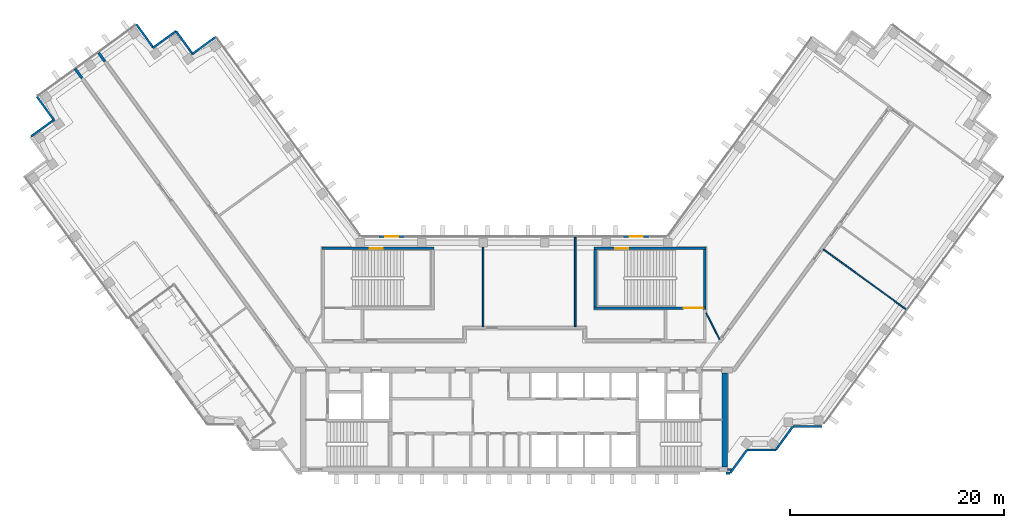
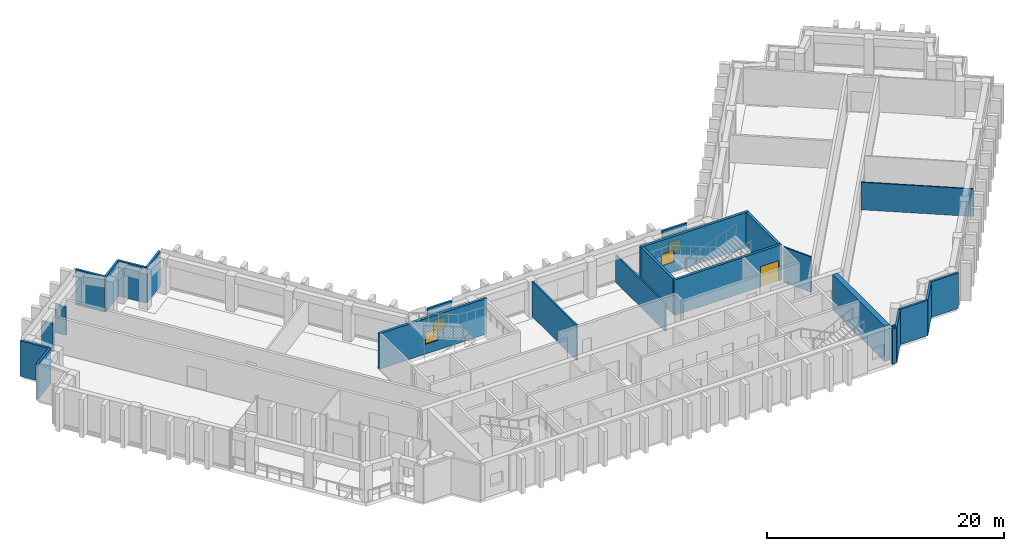
# One storey, part 8 of 12: 26 walls, 4 windows, 1 door, 5 openings.
"""IFC4 building model written with IfcOpenShell, lengths in metres."""

from ifc_helpers import new_model, si_unit, direction, frame, frame_2d, origin, place, context, subcontext, project, spatial, rectangle, extrude, material, layer, layer_set, type_object, element, fill, save


model = new_model("IFC4")

# Units and contexts
model_context = context("Model", 3, precision=1e-05, world=origin(), true_north=direction((0.0, 1.0)))
body_context = subcontext(model_context, "Body", "Model", "MODEL_VIEW")
ifc_project = project(units=[si_unit("LENGTHUNIT", "METRE"), si_unit("AREAUNIT", "SQUARE_METRE"), si_unit("VOLUMEUNIT", "CUBIC_METRE"), si_unit("PLANEANGLEUNIT", "RADIAN"), si_unit("MASSUNIT", "GRAM", prefix="KILO")], contexts=[model_context])

# Site, building, storey
site_placement = place(None, origin())
site = spatial("IfcSite", under=ifc_project, at=site_placement, CompositionType="ELEMENT")
building_placement = place(site_placement, origin())
building = spatial("IfcBuilding", under=site, at=building_placement, Name="Quipu Civic Tower", CompositionType="ELEMENT")
storey_placement = place(building_placement, frame((0.0, 0.0, 164.0)))
storey = spatial("IfcBuildingStorey", under=building, at=storey_placement, Name="L38", CompositionType="ELEMENT", Elevation=164.0)

# Walls
ifc_material_1 = material(Name="Double gypsum plasterboard with mineral wool")
ifc_layer_1 = layer(ifc_material_1, 0.14990234375)
ifc_layer_set_1 = layer_set([ifc_layer_1], Name="Double gypsum plasterboard with mineral wool")
wall_type_1 = type_object("IfcWallType", Name="Acoustic partition 150 plasterboard", PredefinedType="PARTITIONING", material=ifc_layer_set_1)
wall_1_placement = place(storey_placement, frame((-2.89892578125, 2.64990234375, 0.0), z_axis=(0.0, 0.0, 1.0), x_axis=(0.0, 1.0, 0.0)))
element("IfcWall", 1, at=wall_1_placement, inside=storey, type_object=wall_type_1, Name="Partition P05", PredefinedType="PARTITIONING", context=body_context, shape_type="SweptSolid", body=[
    extrude(rectangle(XDim=7.445068359375, YDim=0.14990234375, at=frame_2d((3.72265625, 0.0))), origin(), (0.0, 0.0, 1.0), 3.64990234375),
])
wall_2_placement = place(storey_placement, frame((5.738037109375, 2.64990234375, 0.0), z_axis=(0.0, 0.0, 1.0), x_axis=(0.0, 1.0, 0.0)))
element("IfcWall", 2, at=wall_2_placement, inside=storey, type_object=wall_type_1, Name="Partition P07", PredefinedType="PARTITIONING", context=body_context, shape_type="SweptSolid", body=[
    extrude(rectangle(XDim=8.35009765625, YDim=0.14990234375, at=frame_2d((4.175048828125, 0.0))), origin(), (0.0, 0.0, 1.0), 2.85009765625),
])

# Wall, opening, window
ifc_material_2 = material(Name="Concrete C70/85", Category="concrete")
ifc_layer_2 = layer(ifc_material_2, 0.25)
ifc_layer_set_2 = layer_set([ifc_layer_2], Name="Concrete C70/85")
wall_type_2 = type_object("IfcWallType", Name="Core wall 250", PredefinedType="SHEAR", material=ifc_layer_set_2)
wall_3_placement = place(storey_placement, frame((-18.0, 9.97509765625, 0.0), z_axis=(0.0, 0.0, 1.0), x_axis=(1.0, 0.0, 0.0)))
wall_3 = element("IfcWall", 3, at=wall_3_placement, inside=storey, type_object=wall_type_2, Name="Core wall", PredefinedType="SHEAR", context=body_context, shape_type="SweptSolid", body=[
    extrude(rectangle(XDim=10.5, YDim=0.25, at=frame_2d((5.25, 0.0))), origin(), (0.0, 0.0, 1.0), 3.64990234375),
])
opening_1_placement = place(wall_3_placement, frame((4.5, 0.0, 1.0)))
opening_1 = element("IfcOpeningElement", 4, at=opening_1_placement, cuts=wall_3, Name="Opening SV-3", PredefinedType="OPENING", context=body_context, shape_type="SweptSolid", body=[
    extrude(rectangle(XDim=1.199951171875, YDim=1.199951171875, at=frame_2d((0.60009765625, 0.60009765625))), frame((0.0, 0.135009765625, 0.0), z_axis=(0.0, -1.0, 0.0), x_axis=(1.0, 0.0, 0.0)), (0.0, 0.0, 1.0), 0.27001953125),
])
ifc_material_3 = material(Name="Aluminium louvre", Category="aluminium")
window_type_1 = type_object("IfcWindowType", Name="Stair ventilation louvre 1200 x 1200", PartitioningType="SINGLE_PANEL", PredefinedType="WINDOW", material=ifc_material_3)
window_1_placement = place(opening_1_placement, origin())
window_1 = element("IfcWindow", 5, at=window_1_placement, inside=storey, type_object=window_type_1, Name="Stair ventilation opening", OverallHeight=1.199951171875, OverallWidth=1.199951171875, PartitioningType="SINGLE_PANEL", PredefinedType="WINDOW", context=body_context, shape_type="SweptSolid", body=[
    extrude(rectangle(XDim=1.199951171875, YDim=1.199951171875, at=frame_2d((0.60009765625, 0.60009765625))), frame((0.0, 0.030029296875, 0.0), z_axis=(0.0, -1.0, 0.0), x_axis=(1.0, 0.0, 0.0)), (0.0, 0.0, 1.0), 0.06005859375),
])
fill(opening_1, window_1)

# Wall, opening, door
wall_4_placement = place(storey_placement, frame((7.5, 4.375, 0.0), z_axis=(0.0, 0.0, 1.0), x_axis=(1.0, 0.0, 0.0)))
wall_4 = element("IfcWall", 6, at=wall_4_placement, inside=storey, type_object=wall_type_2, Name="Core wall", PredefinedType="SHEAR", context=body_context, shape_type="SweptSolid", body=[
    extrude(rectangle(XDim=10.5, YDim=0.25, at=frame_2d((5.25, 0.0))), origin(), (0.0, 0.0, 1.0), 3.64990234375),
])
opening_2_placement = place(wall_4_placement, frame((8.39990234375, 0.0, 0.0)))
opening_2 = element("IfcOpeningElement", 7, at=opening_2_placement, cuts=wall_4, Name="Opening CD-25", PredefinedType="OPENING", context=body_context, shape_type="SweptSolid", body=[
    extrude(rectangle(XDim=1.800048828125, YDim=2.10009765625, at=frame_2d((0.89990234375, 1.050048828125))), frame((0.0, 0.135009765625, 0.0), z_axis=(0.0, -1.0, 0.0), x_axis=(1.0, 0.0, 0.0)), (0.0, 0.0, 1.0), 0.27001953125),
])
ifc_material_4 = material(Name="Fire rated steel door", Category="steel")
door_type = type_object("IfcDoorType", Name="Fire door FD90 double 1800 x 2100", OperationType="NOTDEFINED", PredefinedType="DOOR", material=ifc_material_4)
door_placement = place(opening_2_placement, origin())
door = element("IfcDoor", 8, at=door_placement, inside=storey, type_object=door_type, Name="Door", OperationType="DOUBLE_DOOR_SINGLE_SWING", OverallHeight=2.10009765625, OverallWidth=1.800048828125, PredefinedType="DOOR", context=body_context, shape_type="SweptSolid", body=[
    extrude(rectangle(XDim=1.800048828125, YDim=2.10009765625, at=frame_2d((0.89990234375, 1.050048828125))), frame((0.0, 0.02490234375, 0.0), z_axis=(0.0, -1.0, 0.0), x_axis=(1.0, 0.0, 0.0)), (0.0, 0.0, 1.0), 0.050048828125),
])
fill(opening_2, door)

# Walls
for number, where, z_axis, x_axis, name in (
    (9, (7.625, 4.5, 0.0), (0.0, 0.0, 1.0), (0.0, 1.0, 0.0), "Core wall"),
    (10, (17.875, 4.5, 0.0), (0.0, 0.0, 1.0), (0.0, 1.0, 0.0), "Core wall"),
):
    element("IfcWall", number, at=place(storey_placement, frame(where, z_axis=z_axis, x_axis=x_axis)), inside=storey, type_object=wall_type_2, Name=name, PredefinedType="SHEAR", context=body_context, shape_type="SweptSolid", body=[
        extrude(rectangle(XDim=5.35009765625, YDim=0.25, at=frame_2d((2.675048828125, 0.0))), origin(), (0.0, 0.0, 1.0), 3.64990234375),
    ])

# Wall, opening, window
wall_5_placement = place(storey_placement, frame((7.5, 9.97509765625, 0.0), z_axis=(0.0, 0.0, 1.0), x_axis=(1.0, 0.0, 0.0)))
wall_5 = element("IfcWall", 11, at=wall_5_placement, inside=storey, type_object=wall_type_2, Name="Core wall", PredefinedType="SHEAR", context=body_context, shape_type="SweptSolid", body=[
    extrude(rectangle(XDim=10.5, YDim=0.25, at=frame_2d((5.25, 0.0))), origin(), (0.0, 0.0, 1.0), 3.64990234375),
])
opening_3_placement = place(wall_5_placement, frame((2.0, 0.0, 1.0)))
opening_3 = element("IfcOpeningElement", 12, at=opening_3_placement, cuts=wall_5, Name="Opening SV-4", PredefinedType="OPENING", context=body_context, shape_type="SweptSolid", body=[
    extrude(rectangle(XDim=1.199951171875, YDim=1.199951171875, at=frame_2d((0.60009765625, 0.60009765625))), frame((0.0, 0.135009765625, 0.0), z_axis=(0.0, -1.0, 0.0), x_axis=(1.0, 0.0, 0.0)), (0.0, 0.0, 1.0), 0.27001953125),
])
window_2_placement = place(opening_3_placement, origin())
window_2 = element("IfcWindow", 13, at=window_2_placement, inside=storey, type_object=window_type_1, Name="Stair ventilation opening", OverallHeight=1.199951171875, OverallWidth=1.199951171875, PartitioningType="SINGLE_PANEL", PredefinedType="WINDOW", context=body_context, shape_type="SweptSolid", body=[
    extrude(rectangle(XDim=1.199951171875, YDim=1.199951171875, at=frame_2d((0.60009765625, 0.60009765625))), frame((0.0, 0.030029296875, 0.0), z_axis=(0.0, -1.0, 0.0), x_axis=(1.0, 0.0, 0.0)), (0.0, 0.0, 1.0), 0.06005859375),
])
fill(opening_3, window_2)

# Walls
ifc_material_5 = material(Name="Concrete C70/85", Category="concrete")
ifc_layer_3 = layer(ifc_material_5, 0.5)
ifc_layer_set_3 = layer_set([ifc_layer_3], Name="Concrete C70/85")
wall_type_3 = type_object("IfcWallType", Name="Core wall 500", PredefinedType="SHEAR", material=ifc_layer_set_3)
wall_6_placement = place(storey_placement, frame((19.75, -10.5, 0.0), z_axis=(0.0, 0.0, 1.0), x_axis=(0.0, 1.0, 0.0)))
element("IfcWall", 14, at=wall_6_placement, inside=storey, type_object=wall_type_3, Name="Core wall", PredefinedType="SHEAR", context=body_context, shape_type="SweptSolid", body=[
    extrude(rectangle(XDim=8.800048828125, YDim=0.5, at=frame_2d((4.39990234375, 0.0))), origin(), (0.0, 0.0, 1.0), 3.64990234375),
])
ifc_material_6 = material(Name="Concrete C50/60", Category="concrete")
ifc_layer_4 = layer(ifc_material_6, 0.25)
ifc_layer_set_4 = layer_set([ifc_layer_4], Name="Concrete C50/60")
wall_type_4 = type_object("IfcWallType", Name="Corridor wall 250 concrete", PredefinedType="SOLIDWALL", material=ifc_layer_set_4)
wall_7_placement = place(storey_placement, frame((-40.46337890625, 25.911376953125, 0.0), z_axis=(0.0, 0.0, 1.0), x_axis=(-0.587792454268, 0.809011761785, 0.0)))
element("IfcWall", 15, at=wall_7_placement, inside=storey, type_object=wall_type_4, Name="Corridor wall C05", PredefinedType="SOLIDWALL", context=body_context, shape_type="SweptSolid", body=[
    extrude(rectangle(XDim=1.1103515625, YDim=0.25, at=frame_2d((0.55517578125, 0.0))), origin(), (0.0, 0.0, 1.0), 2.85009765625),
])
wall_8_placement = place(storey_placement, frame((-38.31982421875, 27.46923828125, 0.0), z_axis=(0.0, 0.0, 1.0), x_axis=(-0.587811913486, 0.808997623213, 0.0)))
element("IfcWall", 16, at=wall_8_placement, inside=storey, type_object=wall_type_4, Name="Corridor wall C06", PredefinedType="SOLIDWALL", context=body_context, shape_type="SweptSolid", body=[
    extrude(rectangle(XDim=1.0087890625, YDim=0.25, at=frame_2d((0.50439453125, 0.0))), origin(), (0.0, 0.0, 1.0), 2.85009765625),
])
ifc_material_7 = material(Name="Gypsum plasterboard on light gauge framing")
ifc_layer_5 = layer(ifc_material_7, 0.1201171875)
ifc_layer_set_5 = layer_set([ifc_layer_5], Name="Gypsum plasterboard on light gauge framing")
wall_type_5 = type_object("IfcWallType", Name="Partition 120 plasterboard", PredefinedType="PARTITIONING", material=ifc_layer_set_5)
wall_9_placement = place(storey_placement, frame((36.7021484375, 4.274169921875, 0.0), z_axis=(0.0, 0.0, 1.0), x_axis=(-0.808998008689, 0.58781138296, 0.0)))
element("IfcWall", 17, at=wall_9_placement, inside=storey, type_object=wall_type_5, Name="Partition P02", PredefinedType="PARTITIONING", context=body_context, shape_type="SweptSolid", body=[
    extrude(rectangle(XDim=9.5498046875, YDim=0.1201171875, at=frame_2d((4.77490234375, 0.0))), origin(), (0.0, 0.0, 1.0), 2.85009765625),
])
wall_10_placement = place(storey_placement, frame((18.0, 3.925048828125, 0.0), z_axis=(0.0, 0.0, 1.0), x_axis=(0.453950796792, -0.891026752736, 0.0)))
element("IfcWall", 18, at=wall_10_placement, inside=storey, type_object=wall_type_5, Name="Partition P10", PredefinedType="PARTITIONING", context=body_context, shape_type="SweptSolid", body=[
    extrude(rectangle(XDim=2.77783203125, YDim=0.1201171875, at=frame_2d((1.388916015625, 0.0))), origin(), (0.0, 0.0, 1.0), 3.64990234375),
])
ifc_material_8 = material(Name="Precast concrete C40/50", Category="concrete")
wall_type_6 = type_object("IfcWallType", Name="Precast cladding wall", PredefinedType="SOLIDWALL", material=ifc_material_8)
for number, where, z_axis, x_axis, name in (
    (19, (-27.92138671875, 29.787109375, 0.0), (0.0, 0.0, 1.0), (-0.809033161865, -0.587762999008, 0.0), "Precast cladding wall L38 P02"),
    (20, (-30.08349609375, 28.149169921875, 0.0), (0.0, 0.0, 1.0), (-0.587762999008, 0.809033161865, 0.0), "Precast cladding wall L38 P03"),
    (21, (-31.653564453125, 30.330810546875, 0.0), (0.0, 0.0, 1.0), (-0.809033161865, -0.587762999008, 0.0), "Precast cladding wall L38 P04"),
    (22, (-33.80078125, 28.785888671875, 0.0), (0.0, 0.0, 1.0), (-0.587762999008, 0.809033161865, 0.0), "Precast cladding wall L38 P05"),
    (23, (-44.699462890625, 24.20458984375, 0.0), (0.0, 0.0, 1.0), (0.587762999008, -0.809033161865, 0.0), "Precast cladding wall L38 P07"),
):
    element("IfcWall", number, at=place(storey_placement, frame(where, z_axis=z_axis, x_axis=x_axis)), inside=storey, type_object=wall_type_6, Name=name, PredefinedType="SOLIDWALL", context=body_context, shape_type="SweptSolid", body=[
        extrude(rectangle(XDim=2.699951171875, YDim=0.199951171875, at=frame_2d((1.35009765625, 0.0))), origin(), (0.0, 0.0, 1.0), 3.64990234375),
    ])
wall_11_placement = place(storey_placement, frame((19.85009765625, -11.087890625, 0.0), z_axis=(0.0, 0.0, 1.0), x_axis=(1.0, 0.0, 0.0)))
element("IfcWall", 24, at=wall_11_placement, inside=storey, type_object=wall_type_6, Name="Precast cladding wall L38 P13", PredefinedType="SOLIDWALL", context=body_context, shape_type="SweptSolid", body=[
    extrude(rectangle(XDim=0.40576171875, YDim=0.199951171875, at=frame_2d((0.202880859375, 0.0))), origin(), (0.0, 0.0, 1.0), 3.64990234375),
])
wall_12_placement = place(storey_placement, frame((20.253173828125, -11.083251953125, 0.0), z_axis=(0.0, 0.0, 1.0), x_axis=(0.587766567315, 0.809030569476, 0.0)))
element("IfcWall", 25, at=wall_12_placement, inside=storey, type_object=wall_type_6, Name="Precast cladding wall L38 P14", PredefinedType="SOLIDWALL", context=body_context, shape_type="SweptSolid", body=[
    extrude(rectangle(XDim=2.687744140625, YDim=0.199951171875, at=frame_2d((1.34375, 0.0))), origin(), (0.0, 0.0, 1.0), 3.64990234375),
])
wall_13_placement = place(storey_placement, frame((21.8427734375, -8.90380859375, 0.0), z_axis=(0.0, 0.0, 1.0), x_axis=(1.0, 0.0, 0.0)))
element("IfcWall", 26, at=wall_13_placement, inside=storey, type_object=wall_type_6, Name="Precast cladding wall L38 P15", PredefinedType="SOLIDWALL", context=body_context, shape_type="SweptSolid", body=[
    extrude(rectangle(XDim=2.699951171875, YDim=0.199951171875, at=frame_2d((1.35009765625, 0.0))), origin(), (0.0, 0.0, 1.0), 3.64990234375),
])
wall_14_placement = place(storey_placement, frame((24.533203125, -8.90869140625, 0.0), z_axis=(0.0, 0.0, 1.0), x_axis=(0.587720002413, 0.809064397168, 0.0)))
element("IfcWall", 27, at=wall_14_placement, inside=storey, type_object=wall_type_6, Name="Precast cladding wall L38 P16", PredefinedType="SOLIDWALL", context=body_context, shape_type="SweptSolid", body=[
    extrude(rectangle(XDim=2.7001953125, YDim=0.199951171875, at=frame_2d((1.35009765625, 0.0))), origin(), (0.0, 0.0, 1.0), 3.64990234375),
])
wall_15_placement = place(storey_placement, frame((26.1298828125, -6.71923828125, 0.0), z_axis=(0.0, 0.0, 1.0), x_axis=(1.0, 0.0, 0.0)))
element("IfcWall", 28, at=wall_15_placement, inside=storey, type_object=wall_type_6, Name="Precast cladding wall L38 P17", PredefinedType="SOLIDWALL", context=body_context, shape_type="SweptSolid", body=[
    extrude(rectangle(XDim=2.699951171875, YDim=0.199951171875, at=frame_2d((1.35009765625, 0.0))), origin(), (0.0, 0.0, 1.0), 3.64990234375),
])

# Wall, opening, window
wall_16_placement = place(storey_placement, frame((12.655029296875, 11.10009765625, 0.0), z_axis=(0.0, 0.0, 1.0), x_axis=(-1.0, 0.0, 0.0)))
wall_16 = element("IfcWall", 29, at=wall_16_placement, inside=storey, type_object=wall_type_6, Name="Vent surround SF-L36-2", PredefinedType="SOLIDWALL", context=body_context, shape_type="SweptSolid", body=[
    extrude(rectangle(XDim=2.3916015625, YDim=0.199951171875, at=frame_2d((1.19580078125, 0.0))), origin(), (0.0, 0.0, 1.0), 3.64990234375),
])
opening_4_placement = place(wall_16_placement, frame((0.595703125, 0.0, 1.0)))
opening_4 = element("IfcOpeningElement", 30, at=opening_4_placement, cuts=wall_16, Name="Opening SF-L36-2", PredefinedType="OPENING", context=body_context, shape_type="SweptSolid", body=[
    extrude(rectangle(XDim=1.199951171875, YDim=1.199951171875, at=frame_2d((0.60009765625, 0.60009765625))), frame((0.0, 0.10986328125, 0.0), z_axis=(0.0, -1.0, 0.0), x_axis=(1.0, 0.0, 0.0)), (0.0, 0.0, 1.0), 0.219970703125),
])
ifc_material_9 = material(Name="Anodised aluminium louvre", Category="aluminium")
window_type_2 = type_object("IfcWindowType", Name="Stair vent louvre window P3", PartitioningType="SINGLE_PANEL", PredefinedType="WINDOW", material=ifc_material_9)
window_3_placement = place(opening_4_placement, origin())
window_3 = element("IfcWindow", 31, at=window_3_placement, inside=storey, type_object=window_type_2, Name="Stair vent louvre SF-L36-2", OverallHeight=1.199951171875, OverallWidth=1.199951171875, PartitioningType="SINGLE_PANEL", PredefinedType="WINDOW", context=body_context, shape_type="SweptSolid", body=[
    extrude(rectangle(XDim=1.199951171875, YDim=1.199951171875, at=frame_2d((0.60009765625, 0.60009765625))), frame((0.0, 0.030029296875, 0.0), z_axis=(0.0, -1.0, 0.0), x_axis=(1.0, 0.0, 0.0)), (0.0, 0.0, 1.0), 0.06005859375),
])
fill(opening_4, window_3)

wall_17_placement = place(storey_placement, frame((-10.263427734375, 11.10009765625, 0.0), z_axis=(0.0, 0.0, 1.0), x_axis=(-1.0, 0.0, 0.0)))
wall_17 = element("IfcWall", 32, at=wall_17_placement, inside=storey, type_object=wall_type_6, Name="Vent surround SF-L36-1", PredefinedType="SOLIDWALL", context=body_context, shape_type="SweptSolid", body=[
    extrude(rectangle(XDim=2.3916015625, YDim=0.199951171875, at=frame_2d((1.19580078125, 0.0))), origin(), (0.0, 0.0, 1.0), 3.64990234375),
])
opening_5_placement = place(wall_17_placement, frame((0.595703125, 0.0, 1.0)))
opening_5 = element("IfcOpeningElement", 33, at=opening_5_placement, cuts=wall_17, Name="Opening SF-L36-1", PredefinedType="OPENING", context=body_context, shape_type="SweptSolid", body=[
    extrude(rectangle(XDim=1.199951171875, YDim=1.199951171875, at=frame_2d((0.60009765625, 0.60009765625))), frame((0.0, 0.10986328125, 0.0), z_axis=(0.0, -1.0, 0.0), x_axis=(1.0, 0.0, 0.0)), (0.0, 0.0, 1.0), 0.219970703125),
])
window_4_placement = place(opening_5_placement, origin())
window_4 = element("IfcWindow", 34, at=window_4_placement, inside=storey, type_object=window_type_2, Name="Stair vent louvre SF-L36-1", OverallHeight=1.199951171875, OverallWidth=1.199951171875, PartitioningType="SINGLE_PANEL", PredefinedType="WINDOW", context=body_context, shape_type="SweptSolid", body=[
    extrude(rectangle(XDim=1.199951171875, YDim=1.199951171875, at=frame_2d((0.60009765625, 0.60009765625))), frame((0.0, 0.030029296875, 0.0), z_axis=(0.0, -1.0, 0.0), x_axis=(1.0, 0.0, 0.0)), (0.0, 0.0, 1.0), 0.06005859375),
])
fill(opening_5, window_4)

# Walls
wall_18_placement = place(storey_placement, frame((-43.060791015625, 22.04296875, 0.0), z_axis=(0.0, 0.0, 1.0), x_axis=(-0.809033161865, -0.587762999008, 0.0)))
element("IfcWall", 35, at=wall_18_placement, inside=storey, type_object=wall_type_6, Name="Precast cladding wall L38 9", PredefinedType="SOLIDWALL", context=body_context, shape_type="SweptSolid", body=[
    extrude(rectangle(XDim=2.699951171875, YDim=0.199951171875, at=frame_2d((1.35009765625, 0.0))), origin(), (0.0, 0.0, 1.0), 3.64990234375),
])
wall_19_placement = place(storey_placement, frame((19.97998046875, -10.75, 0.0), z_axis=(0.0, 0.0, 1.0), x_axis=(1.0, 0.0, 0.0)))
element("IfcWall", 36, at=wall_19_placement, inside=storey, type_object=wall_type_6, Name="Precast cladding return L38 E", PredefinedType="SOLIDWALL", context=body_context, shape_type="SweptSolid", body=[
    extrude(rectangle(XDim=0.41650390625, YDim=0.199951171875, at=frame_2d((0.208251953125, 0.0))), origin(), (0.0, 0.0, 1.0), 3.64990234375),
])

save(model, "model.ifc")
